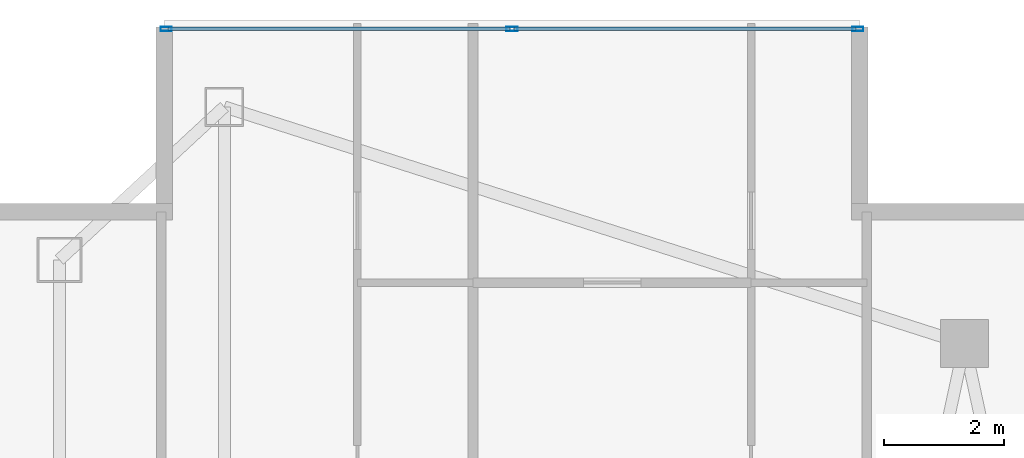
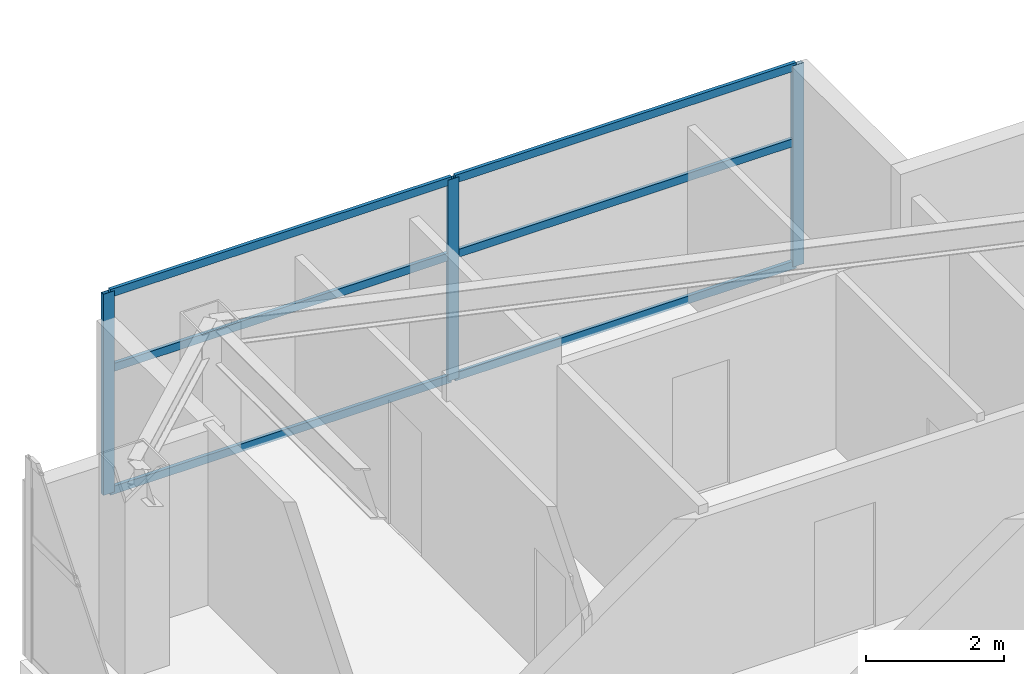
# One storey, part 21 of 30: 9 members, 1 element without a shape of its own.
"""IFC4 building model written with IfcOpenShell, lengths in metres."""

from ifc_helpers import new_model, si_unit, direction, frame, origin, origin_2d, place, context, subcontext, project, spatial, hollow_rectangle, extrude, material, layer, layer_set, material_profile, profile_set, type_object, element, aggregate, save


model = new_model("IFC4")

# Units and contexts
model_context = context("Model", 3, precision=1e-05, world=origin(), true_north=direction((0.0, 1.0)))
body_context = subcontext(model_context, "Body", "Model", "MODEL_VIEW")
ifc_project = project(units=[si_unit("LENGTHUNIT", "METRE"), si_unit("AREAUNIT", "SQUARE_METRE"), si_unit("VOLUMEUNIT", "CUBIC_METRE"), si_unit("PLANEANGLEUNIT", "RADIAN"), si_unit("MASSUNIT", "GRAM", prefix="KILO")], contexts=[model_context])

# Site, building, storey
site_placement = place(None, origin())
site = spatial("IfcSite", under=ifc_project, at=site_placement, CompositionType="ELEMENT")
building_placement = place(site_placement, origin())
building = spatial("IfcBuilding", under=site, at=building_placement, Name="Calvorn Quay Hotel", CompositionType="ELEMENT")
storey_placement = place(building_placement, frame((0.0, 0.0, 203.39990234375)))
storey = spatial("IfcBuildingStorey", under=building, at=storey_placement, Name="L50", CompositionType="ELEMENT", Elevation=203.39990234375)

# Curtain wall, members
ifc_material_1 = material(Name="Champagne Bronze Anodised Aluminium and Low-E Glass", Category="aluminium")
ifc_layer = layer(ifc_material_1, 0.219970703125)
ifc_layer_set = layer_set([ifc_layer], Name="CW-SYS-Z3")
curtain_wall_type = type_object("IfcCurtainWallType", Name="CW-SYS-Z3", PredefinedType="NOTDEFINED", material=ifc_layer_set)
curtain_wall_placement = place(storey_placement, origin())
curtain_wall = element("IfcCurtainWall", 1, at=curtain_wall_placement, inside=storey, type_object=curtain_wall_type, Name="Inner Court Curtain Wall L50-N1", PredefinedType="NOTDEFINED")
ifc_material_2 = material(Name="Champagne Bronze Anodised Aluminium 6063-T6", Category="aluminium")
ifc_material_profile_1 = material_profile(ifc_material_2, hollow_rectangle(XDim=0.068115234375, YDim=0.18505859375, WallThickness=0.00390625, at=origin_2d()), Name="ALU-M185x68x4")
ifc_profile_set_1 = profile_set([ifc_material_profile_1], Name="Champagne Bronze Anodised Aluminium 6063-T6")
member_type_1 = type_object("IfcMemberType", Name="CW-SYS-Z3-MUL", PredefinedType="MULLION", material=ifc_profile_set_1)
member_1_placement = place(storey_placement, frame((14.77001953125, 50.85009765625, 0.0), z_axis=(0.0, 0.0, 1.0), x_axis=(0.0, -1.0, 0.0)))
member_1 = element("IfcMember", 2, at=member_1_placement, type_object=member_type_1, Name="CW-L50-N1 mullion 1", PredefinedType="MULLION", context=body_context, shape_type="SweptSolid", body=[
    extrude(hollow_rectangle(XDim=0.068115234375, YDim=0.18505859375, WallThickness=0.00390625, at=origin_2d()), origin(), (0.0, 0.0, 1.0), 3.56005859375),
])
member_2_placement = place(storey_placement, frame((9.0, 50.85009765625, 0.0), z_axis=(0.0, 0.0, 1.0), x_axis=(0.0, -1.0, 0.0)))
member_2 = element("IfcMember", 3, at=member_2_placement, type_object=member_type_1, Name="CW-L50-N1 mullion 2", PredefinedType="MULLION", context=body_context, shape_type="SweptSolid", body=[
    extrude(hollow_rectangle(XDim=0.068115234375, YDim=0.18505859375, WallThickness=0.00390625, at=origin_2d()), origin(), (0.0, 0.0, 1.0), 3.56005859375),
])
member_3_placement = place(storey_placement, frame((3.22998046875, 50.85009765625, 0.0), z_axis=(0.0, 0.0, 1.0), x_axis=(0.0, -1.0, 0.0)))
member_3 = element("IfcMember", 4, at=member_3_placement, type_object=member_type_1, Name="CW-L50-N1 mullion 3", PredefinedType="MULLION", context=body_context, shape_type="SweptSolid", body=[
    extrude(hollow_rectangle(XDim=0.068115234375, YDim=0.18505859375, WallThickness=0.00390625, at=origin_2d()), origin(), (0.0, 0.0, 1.0), 3.56005859375),
])
ifc_material_3 = material(Name="Champagne Bronze Anodised Aluminium 6063-T6", Category="aluminium")
ifc_material_profile_2 = material_profile(ifc_material_3, hollow_rectangle(XDim=0.05810546875, YDim=0.139892578125, WallThickness=0.003173828125, at=origin_2d()), Name="ALU-T140x58x3.2")
ifc_profile_set_2 = profile_set([ifc_material_profile_2], Name="Champagne Bronze Anodised Aluminium 6063-T6")
member_type_2 = type_object("IfcMemberType", Name="CW-SYS-Z3-TRN", PredefinedType="USERDEFINED", material=ifc_profile_set_2)
member_4_placement = place(storey_placement, frame((14.739990234375, 50.85009765625, 0.030029296875), z_axis=(-1.0, 0.0, 0.0), x_axis=(0.0, -1.0, 0.0)))
member_4 = element("IfcMember", 5, at=member_4_placement, type_object=member_type_2, Name="CW-L50-N1 transom 1.1", ObjectType="TRANSOM", PredefinedType="USERDEFINED", context=body_context, shape_type="SweptSolid", body=[
    extrude(hollow_rectangle(XDim=0.05810546875, YDim=0.139892578125, WallThickness=0.003173828125, at=origin_2d()), origin(), (0.0, 0.0, 1.0), 5.7099609375),
])
member_5_placement = place(storey_placement, frame((14.739990234375, 50.85009765625, 2.2001953125), z_axis=(-1.0, 0.0, 0.0), x_axis=(0.0, -1.0, 0.0)))
member_5 = element("IfcMember", 6, at=member_5_placement, type_object=member_type_2, Name="CW-L50-N1 transom 1.2", ObjectType="TRANSOM", PredefinedType="USERDEFINED", context=body_context, shape_type="SweptSolid", body=[
    extrude(hollow_rectangle(XDim=0.05810546875, YDim=0.139892578125, WallThickness=0.003173828125, at=origin_2d()), origin(), (0.0, 0.0, 1.0), 5.7099609375),
])
member_6_placement = place(storey_placement, frame((14.739990234375, 50.85009765625, 3.530029296875), z_axis=(-1.0, 0.0, 0.0), x_axis=(0.0, -1.0, 0.0)))
member_6 = element("IfcMember", 7, at=member_6_placement, type_object=member_type_2, Name="CW-L50-N1 transom 1.3", ObjectType="TRANSOM", PredefinedType="USERDEFINED", context=body_context, shape_type="SweptSolid", body=[
    extrude(hollow_rectangle(XDim=0.05810546875, YDim=0.139892578125, WallThickness=0.003173828125, at=origin_2d()), origin(), (0.0, 0.0, 1.0), 5.7099609375),
])
member_7_placement = place(storey_placement, frame((8.969970703125, 50.85009765625, 0.030029296875), z_axis=(-1.0, 0.0, 0.0), x_axis=(0.0, -1.0, 0.0)))
member_7 = element("IfcMember", 8, at=member_7_placement, type_object=member_type_2, Name="CW-L50-N1 transom 2.1", ObjectType="TRANSOM", PredefinedType="USERDEFINED", context=body_context, shape_type="SweptSolid", body=[
    extrude(hollow_rectangle(XDim=0.05810546875, YDim=0.139892578125, WallThickness=0.003173828125, at=origin_2d()), origin(), (0.0, 0.0, 1.0), 5.7099609375),
])
member_8_placement = place(storey_placement, frame((8.969970703125, 50.85009765625, 2.2001953125), z_axis=(-1.0, 0.0, 0.0), x_axis=(0.0, -1.0, 0.0)))
member_8 = element("IfcMember", 9, at=member_8_placement, type_object=member_type_2, Name="CW-L50-N1 transom 2.2", ObjectType="TRANSOM", PredefinedType="USERDEFINED", context=body_context, shape_type="SweptSolid", body=[
    extrude(hollow_rectangle(XDim=0.05810546875, YDim=0.139892578125, WallThickness=0.003173828125, at=origin_2d()), origin(), (0.0, 0.0, 1.0), 5.7099609375),
])
member_9_placement = place(storey_placement, frame((8.969970703125, 50.85009765625, 3.530029296875), z_axis=(-1.0, 0.0, 0.0), x_axis=(0.0, -1.0, 0.0)))
member_9 = element("IfcMember", 10, at=member_9_placement, type_object=member_type_2, Name="CW-L50-N1 transom 2.3", ObjectType="TRANSOM", PredefinedType="USERDEFINED", context=body_context, shape_type="SweptSolid", body=[
    extrude(hollow_rectangle(XDim=0.05810546875, YDim=0.139892578125, WallThickness=0.003173828125, at=origin_2d()), origin(), (0.0, 0.0, 1.0), 5.7099609375),
])
aggregate(curtain_wall, [member_1, member_2, member_3, member_4, member_5, member_6, member_7, member_8, member_9])

save(model, "model.ifc")
